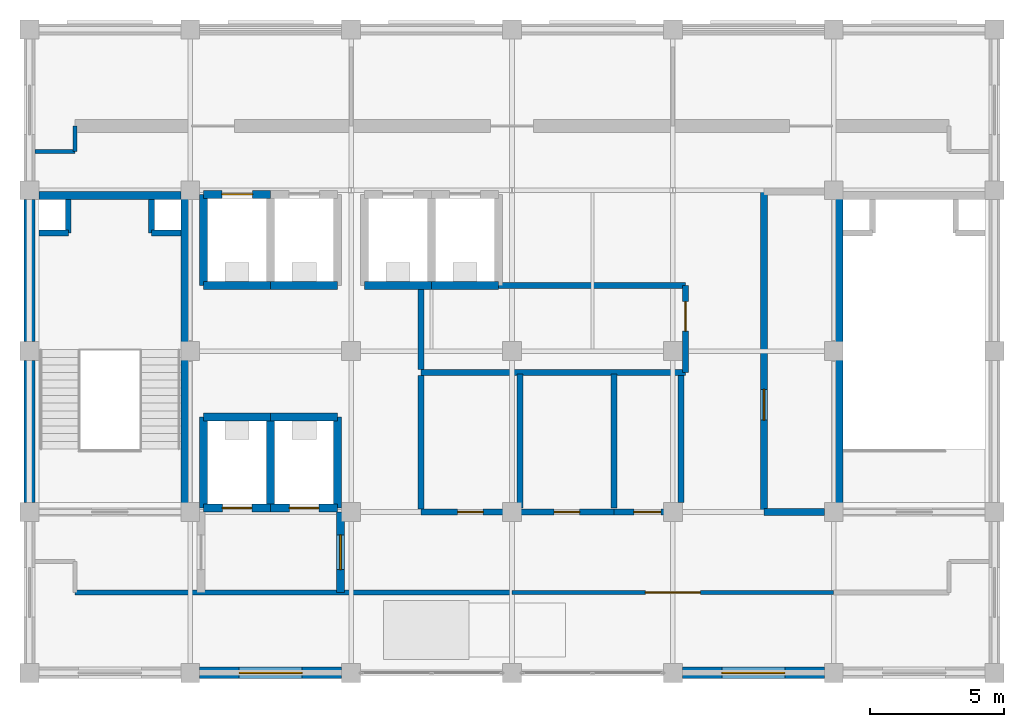
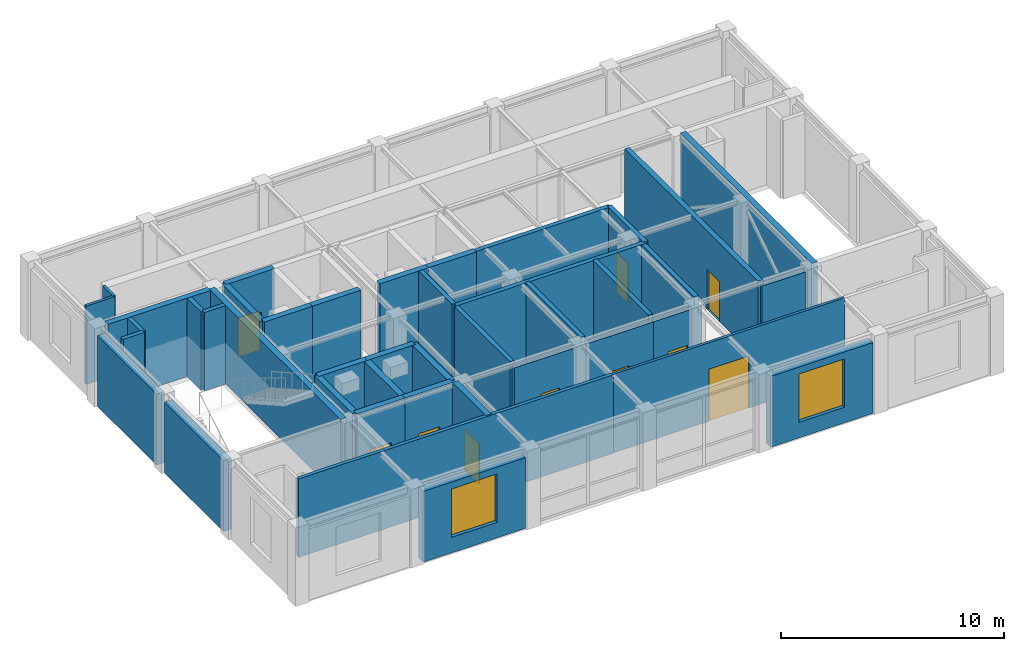
# One storey, part 8 of 11: 42 walls, 10 doors, 2 windows, 12 openings.
"""IFC4 building model written with IfcOpenShell, lengths in metres."""

from ifc_helpers import new_model, si_unit, direction, frame, frame_2d, origin, place, context, subcontext, project, spatial, rectangle, extrude, material, layer, layer_set, type_object, element, fill, save


model = new_model("IFC4")

# Units and contexts
model_context = context("Model", 3, precision=1e-05, world=origin(), true_north=direction((0.0, 1.0)))
body_context = subcontext(model_context, "Body", "Model", "MODEL_VIEW")
ifc_project = project(units=[si_unit("LENGTHUNIT", "METRE"), si_unit("AREAUNIT", "SQUARE_METRE"), si_unit("VOLUMEUNIT", "CUBIC_METRE"), si_unit("PLANEANGLEUNIT", "RADIAN"), si_unit("MASSUNIT", "GRAM", prefix="KILO")], contexts=[model_context])

# Site, building, storey
site_placement = place(None, origin())
site = spatial("IfcSite", under=ifc_project, at=site_placement, CompositionType="ELEMENT")
building_placement = place(site_placement, origin())
building = spatial("IfcBuilding", under=site, at=building_placement, Name="Zlatovratsky Civic Hall", CompositionType="ELEMENT")
storey_placement = place(building_placement, frame((0.0, 0.0, 72.0)))
storey = spatial("IfcBuildingStorey", under=building, at=storey_placement, Name="L18", CompositionType="ELEMENT", Elevation=72.0)

# Wall
ifc_material_1 = material(Name="Acoustic ceramic blockwork", Category="masonry")
ifc_layer_1 = layer(ifc_material_1, 0.179931640625)
ifc_layer_set_1 = layer_set([ifc_layer_1], Name="Acoustic ceramic blockwork")
wall_type_1 = type_object("IfcWallType", Name="Wall_AcousticChamberPartition_180", PredefinedType="PARTITIONING", material=ifc_layer_set_1)
wall_1_placement = place(storey_placement, frame((67.699951171875, 81.0, 0.0), z_axis=(0.0, 0.0, 1.0), x_axis=(1.0, 0.0, 0.0)))
element("IfcWall", 1, at=wall_1_placement, inside=storey, type_object=wall_type_1, Name="WL-6833", PredefinedType="PARTITIONING", context=body_context, shape_type="SweptSolid", body=[
    extrude(rectangle(XDim=16.300048828125, YDim=0.179931640625, at=frame_2d((8.14990234375, 0.0))), origin(), (0.0, 0.0, 1.0), 4.300048828125),
])

# Wall, opening, door
ifc_layer_2 = layer(ifc_material_1, 0.260009765625)
ifc_layer_set_2 = layer_set([ifc_layer_2], Name="Acoustic ceramic blockwork")
wall_type_2 = type_object("IfcWallType", Name="Wall_ArchiveCompartment_260", PredefinedType="PARTITIONING", material=ifc_layer_set_2)
wall_2_placement = place(storey_placement, frame((93.39990234375, 84.0, 0.0), z_axis=(0.0, 0.0, 1.0), x_axis=(0.0, 1.0, 0.0)))
wall_2 = element("IfcWall", 2, at=wall_2_placement, inside=storey, type_object=wall_type_2, Name="WL-6811", PredefinedType="PARTITIONING", context=body_context, shape_type="SweptSolid", body=[
    extrude(rectangle(XDim=11.9599609375, YDim=0.260009765625, at=frame_2d((5.97998046875, 0.0))), origin(), (0.0, 0.0, 1.0), 4.300048828125),
])
opening_1_placement = place(wall_2_placement, frame((3.425048828125, 0.0, 0.0)))
opening_1 = element("IfcOpeningElement", 3, at=opening_1_placement, cuts=wall_2, Name="Opening D-31", PredefinedType="OPENING", context=body_context, shape_type="SweptSolid", body=[
    extrude(rectangle(XDim=1.14990234375, YDim=2.199951171875, at=frame_2d((0.574951171875, 1.10009765625))), frame((0.0, 0.14501953125, 0.0), z_axis=(0.0, -1.0, 0.0), x_axis=(1.0, 0.0, 0.0)), (0.0, 0.0, 1.0), 0.289794921875),
])
ifc_material_2 = material(Name="Insulated painted fire-rated steel leaf", Category="steel")
door_type_1 = type_object("IfcDoorType", Name="Door_RecordsVault_1150x2200", OperationType="NOTDEFINED", PredefinedType="DOOR", material=ifc_material_2)
door_1_placement = place(opening_1_placement, origin())
door_1 = element("IfcDoor", 4, at=door_1_placement, inside=storey, type_object=door_type_1, Name="DR-5566", OperationType="SINGLE_SWING_LEFT", OverallHeight=2.199951171875, OverallWidth=1.14990234375, PredefinedType="DOOR", context=body_context, shape_type="SweptSolid", body=[
    extrude(rectangle(XDim=1.14990234375, YDim=2.199951171875, at=frame_2d((0.574951171875, 1.10009765625))), frame((0.0, 0.02490234375, 0.0), z_axis=(0.0, -1.0, 0.0), x_axis=(1.0, 0.0, 0.0)), (0.0, 0.0, 1.0), 0.050048828125),
])
fill(opening_1, door_1)

# Wall
wall_3_placement = place(storey_placement, frame((93.39990234375, 84.0, 0.0), z_axis=(0.0, 0.0, 1.0), x_axis=(1.0, 0.0, 0.0)))
element("IfcWall", 5, at=wall_3_placement, inside=storey, type_object=wall_type_2, Name="WL-6812", PredefinedType="PARTITIONING", context=body_context, shape_type="SweptSolid", body=[
    extrude(rectangle(XDim=2.25, YDim=0.260009765625, at=frame_2d((1.125, 0.0))), origin(), (0.0, 0.0, 1.0), 4.055908203125),
])

# Wall, opening, door
ifc_material_3 = material(Name="Fire-rated gypsum board framing", Category="gypsum")
ifc_layer_3 = layer(ifc_material_3, 0.139892578125)
ifc_layer_set_3 = layer_set([ifc_layer_3], Name="Fire-rated gypsum board framing")
wall_type_3 = type_object("IfcWallType", Name="Wall_OfficePartition_140", PredefinedType="PARTITIONING", material=ifc_layer_set_3)
wall_4_placement = place(storey_placement, frame((84.0, 81.0, 0.0), z_axis=(0.0, 0.0, 1.0), x_axis=(1.0, 0.0, 0.0)))
wall_4 = element("IfcWall", 6, at=wall_4_placement, inside=storey, type_object=wall_type_3, Name="WL-6823", PredefinedType="PARTITIONING", context=body_context, shape_type="SweptSolid", body=[
    extrude(rectangle(XDim=12.0, YDim=0.139892578125, at=frame_2d((6.0, 0.0))), origin(), (0.0, 0.0, 1.0), 4.300048828125),
])
opening_2_placement = place(wall_4_placement, frame((4.97509765625, 0.0, 0.0)))
opening_2 = element("IfcOpeningElement", 7, at=opening_2_placement, cuts=wall_4, Name="Opening D-28", PredefinedType="OPENING", context=body_context, shape_type="SweptSolid", body=[
    extrude(rectangle(XDim=2.050048828125, YDim=2.85009765625, at=frame_2d((1.02490234375, 1.425048828125))), frame((0.0, 0.0849609375, 0.0), z_axis=(0.0, -1.0, 0.0), x_axis=(1.0, 0.0, 0.0)), (0.0, 0.0, 1.0), 0.169677734375),
])
ifc_material_4 = material(Name="Solid oak joinery in steel frame", Category="steel")
door_type_2 = type_object("IfcDoorType", Name="Door_BelvedereHall_2050x2850", OperationType="DOUBLE_DOOR_SINGLE_SWING", PredefinedType="DOOR", material=ifc_material_4)
door_2_placement = place(opening_2_placement, origin())
door_2 = element("IfcDoor", 8, at=door_2_placement, inside=storey, type_object=door_type_2, Name="DR-5573", OperationType="DOUBLE_DOOR_SINGLE_SWING", OverallHeight=2.85009765625, OverallWidth=2.050048828125, PredefinedType="DOOR", context=body_context, shape_type="SweptSolid", body=[
    extrude(rectangle(XDim=2.050048828125, YDim=2.85009765625, at=frame_2d((1.02490234375, 1.425048828125))), frame((0.0, 0.02490234375, 0.0), z_axis=(0.0, -1.0, 0.0), x_axis=(1.0, 0.0, 0.0)), (0.0, 0.0, 1.0), 0.050048828125),
])
fill(opening_2, door_2)

# Walls
wall_5_placement = place(storey_placement, frame((67.699951171875, 98.39990234375, 0.0), z_axis=(0.0, 0.0, 1.0), x_axis=(0.0, -1.0, 0.0)))
element("IfcWall", 9, at=wall_5_placement, inside=storey, type_object=wall_type_3, Name="WL-6839", PredefinedType="PARTITIONING", context=body_context, shape_type="SweptSolid", body=[
    extrude(rectangle(XDim=0.949951171875, YDim=0.139892578125, at=frame_2d((0.47509765625, 0.0))), origin(), (0.0, 0.0, 1.0), 4.300048828125),
])
wall_6_placement = place(storey_placement, frame((67.699951171875, 97.449951171875, 0.0), z_axis=(0.0, 0.0, 1.0), x_axis=(-1.0, 0.0, 0.0)))
element("IfcWall", 10, at=wall_6_placement, inside=storey, type_object=wall_type_3, Name="WL-6840", PredefinedType="PARTITIONING", context=body_context, shape_type="SweptSolid", body=[
    extrude(rectangle(XDim=1.489990234375, YDim=0.139892578125, at=frame_2d((0.7451171875, 0.0))), origin(), (0.0, 0.0, 1.0), 4.300048828125),
])
ifc_layer_4 = layer(ifc_material_1, 0.219970703125)
ifc_layer_set_4 = layer_set([ifc_layer_4], Name="Acoustic ceramic blockwork")
wall_type_4 = type_object("IfcWallType", Name="Wall_SanitaryWetCore_220", PredefinedType="PARTITIONING", material=ifc_layer_set_4)
wall_7_placement = place(storey_placement, frame((67.449951171875, 94.39990234375, 0.0), z_axis=(0.0, 0.0, 1.0), x_axis=(0.0, 1.0, 0.0)))
element("IfcWall", 11, at=wall_7_placement, inside=storey, type_object=wall_type_4, Name="WL-5147", PredefinedType="PARTITIONING", context=body_context, shape_type="SweptSolid", body=[
    extrude(rectangle(XDim=1.25, YDim=0.219970703125, at=frame_2d((0.625, 0.0))), origin(), (0.0, 0.0, 1.0), 4.300048828125),
])
wall_8_placement = place(storey_placement, frame((66.35009765625, 94.39990234375, 0.0), z_axis=(0.0, 0.0, 1.0), x_axis=(1.0, 0.0, 0.0)))
element("IfcWall", 12, at=wall_8_placement, inside=storey, type_object=wall_type_4, Name="WL-5148", PredefinedType="PARTITIONING", context=body_context, shape_type="SweptSolid", body=[
    extrude(rectangle(XDim=1.099853515625, YDim=0.219970703125, at=frame_2d((0.5498046875, 0.0))), origin(), (0.0, 0.0, 1.0), 4.300048828125),
])
wall_9_placement = place(storey_placement, frame((70.550048828125, 94.39990234375, 0.0), z_axis=(0.0, 0.0, 1.0), x_axis=(0.0, 1.0, 0.0)))
element("IfcWall", 13, at=wall_9_placement, inside=storey, type_object=wall_type_4, Name="WL-5149", PredefinedType="PARTITIONING", context=body_context, shape_type="SweptSolid", body=[
    extrude(rectangle(XDim=1.25, YDim=0.219970703125, at=frame_2d((0.625, 0.0))), origin(), (0.0, 0.0, 1.0), 4.300048828125),
])
wall_10_placement = place(storey_placement, frame((70.550048828125, 94.39990234375, 0.0), z_axis=(0.0, 0.0, 1.0), x_axis=(1.0, 0.0, 0.0)))
element("IfcWall", 14, at=wall_10_placement, inside=storey, type_object=wall_type_4, Name="WL-5150", PredefinedType="PARTITIONING", context=body_context, shape_type="SweptSolid", body=[
    extrude(rectangle(XDim=1.099853515625, YDim=0.219970703125, at=frame_2d((0.5498046875, 0.0))), origin(), (0.0, 0.0, 1.0), 4.300048828125),
])

# Wall, opening, door
wall_11_placement = place(storey_placement, frame((80.60009765625, 84.0, 0.0), z_axis=(0.0, 0.0, 1.0), x_axis=(1.0, 0.0, 0.0)))
wall_11 = element("IfcWall", 15, at=wall_11_placement, inside=storey, type_object=wall_type_4, Name="WL-6816", PredefinedType="PARTITIONING", context=body_context, shape_type="SweptSolid", body=[
    extrude(rectangle(XDim=3.699951171875, YDim=0.219970703125, at=frame_2d((1.85009765625, 0.0))), origin(), (0.0, 0.0, 1.0), 4.055908203125),
])
opening_3_placement = place(wall_11_placement, frame((1.375, 0.0, 0.0)))
opening_3 = element("IfcOpeningElement", 16, at=opening_3_placement, cuts=wall_11, Name="Opening D-21", PredefinedType="OPENING", context=body_context, shape_type="SweptSolid", body=[
    extrude(rectangle(XDim=0.949951171875, YDim=2.14990234375, at=frame_2d((0.47509765625, 1.074951171875))), frame((0.0, 0.125, 0.0), z_axis=(0.0, -1.0, 0.0), x_axis=(1.0, 0.0, 0.0)), (0.0, 0.0, 1.0), 0.249755859375),
])
door_type_3 = type_object("IfcDoorType", Name="Door_MensWC_950x2150", OperationType="NOTDEFINED", PredefinedType="DOOR", material=ifc_material_4)
door_3_placement = place(opening_3_placement, origin())
door_3 = element("IfcDoor", 17, at=door_3_placement, inside=storey, type_object=door_type_3, Name="DR-5569", OperationType="SINGLE_SWING_LEFT", OverallHeight=2.14990234375, OverallWidth=0.949951171875, PredefinedType="DOOR", context=body_context, shape_type="SweptSolid", body=[
    extrude(rectangle(XDim=0.949951171875, YDim=2.14990234375, at=frame_2d((0.47509765625, 1.074951171875))), frame((0.0, 0.02490234375, 0.0), z_axis=(0.0, -1.0, 0.0), x_axis=(1.0, 0.0, 0.0)), (0.0, 0.0, 1.0), 0.050048828125),
])
fill(opening_3, door_3)

wall_12_placement = place(storey_placement, frame((84.300048828125, 84.0, 0.0), z_axis=(0.0, 0.0, 1.0), x_axis=(1.0, 0.0, 0.0)))
wall_12 = element("IfcWall", 18, at=wall_12_placement, inside=storey, type_object=wall_type_4, Name="WL-6817", PredefinedType="PARTITIONING", context=body_context, shape_type="SweptSolid", body=[
    extrude(rectangle(XDim=3.5, YDim=0.219970703125, at=frame_2d((1.75, 0.0))), origin(), (0.0, 0.0, 1.0), 4.055908203125),
])
opening_4_placement = place(wall_12_placement, frame((1.27490234375, 0.0, 0.0)))
opening_4 = element("IfcOpeningElement", 19, at=opening_4_placement, cuts=wall_12, Name="Opening D-22", PredefinedType="OPENING", context=body_context, shape_type="SweptSolid", body=[
    extrude(rectangle(XDim=0.949951171875, YDim=2.10009765625, at=frame_2d((0.47509765625, 1.050048828125))), frame((0.0, 0.125, 0.0), z_axis=(0.0, -1.0, 0.0), x_axis=(1.0, 0.0, 0.0)), (0.0, 0.0, 1.0), 0.249755859375),
])
door_type_4 = type_object("IfcDoorType", Name="Door_WomensWC_950x2100", OperationType="NOTDEFINED", PredefinedType="DOOR", material=ifc_material_4)
door_4_placement = place(opening_4_placement, origin())
door_4 = element("IfcDoor", 20, at=door_4_placement, inside=storey, type_object=door_type_4, Name="DR-5570", OperationType="SINGLE_SWING_RIGHT", OverallHeight=2.10009765625, OverallWidth=0.949951171875, PredefinedType="DOOR", context=body_context, shape_type="SweptSolid", body=[
    extrude(rectangle(XDim=0.949951171875, YDim=2.10009765625, at=frame_2d((0.47509765625, 1.050048828125))), frame((0.0, 0.02490234375, 0.0), z_axis=(0.0, -1.0, 0.0), x_axis=(1.0, 0.0, 0.0)), (0.0, 0.0, 1.0), 0.050048828125),
])
fill(opening_4, door_4)

wall_13_placement = place(storey_placement, frame((87.800048828125, 84.0, 0.0), z_axis=(0.0, 0.0, 1.0), x_axis=(1.0, 0.0, 0.0)))
wall_13 = element("IfcWall", 21, at=wall_13_placement, inside=storey, type_object=wall_type_4, Name="WL-6818", PredefinedType="PARTITIONING", context=body_context, shape_type="SweptSolid", body=[
    extrude(rectangle(XDim=2.5, YDim=0.219970703125, at=frame_2d((1.25, 0.0))), origin(), (0.0, 0.0, 1.0), 4.055908203125),
])
opening_5_placement = place(wall_13_placement, frame((0.75, 0.0, 0.0)))
opening_5 = element("IfcOpeningElement", 22, at=opening_5_placement, cuts=wall_13, Name="Opening D-20", PredefinedType="OPENING", context=body_context, shape_type="SweptSolid", body=[
    extrude(rectangle(XDim=1.0, YDim=2.14990234375, at=frame_2d((0.5, 1.074951171875))), frame((0.0, 0.125, 0.0), z_axis=(0.0, -1.0, 0.0), x_axis=(1.0, 0.0, 0.0)), (0.0, 0.0, 1.0), 0.249755859375),
])
door_type_5 = type_object("IfcDoorType", Name="Door_AccessibleWC_1000x2150", OperationType="NOTDEFINED", PredefinedType="DOOR", material=ifc_material_4)
door_5_placement = place(opening_5_placement, origin())
door_5 = element("IfcDoor", 23, at=door_5_placement, inside=storey, type_object=door_type_5, Name="DR-5571", OperationType="SINGLE_SWING_LEFT", OverallHeight=2.14990234375, OverallWidth=1.0, PredefinedType="DOOR", context=body_context, shape_type="SweptSolid", body=[
    extrude(rectangle(XDim=1.0, YDim=2.14990234375, at=frame_2d((0.5, 1.074951171875))), frame((0.0, 0.02490234375, 0.0), z_axis=(0.0, -1.0, 0.0), x_axis=(1.0, 0.0, 0.0)), (0.0, 0.0, 1.0), 0.050048828125),
])
fill(opening_5, door_5)

# Walls
for number, where, z_axis, x_axis, name in (
    (24, (84.300048828125, 84.14990234375, 0.0), (0.0, 0.0, 1.0), (0.0, 1.0, 0.0), "WL-6819"),
    (25, (87.800048828125, 84.14990234375, 0.0), (0.0, 0.0, 1.0), (0.0, 1.0, 0.0), "WL-6820"),
):
    element("IfcWall", number, at=place(storey_placement, frame(where, z_axis=z_axis, x_axis=x_axis)), inside=storey, type_object=wall_type_4, Name=name, PredefinedType="PARTITIONING", context=body_context, shape_type="SweptSolid", body=[
        extrude(rectangle(XDim=5.0, YDim=0.219970703125, at=frame_2d((2.5, 0.0))), origin(), (0.0, 0.0, 1.0), 4.300048828125),
    ])
wall_14_placement = place(storey_placement, frame((80.60009765625, 89.199951171875, 0.0), z_axis=(0.0, 0.0, 1.0), x_axis=(1.0, 0.0, 0.0)))
element("IfcWall", 26, at=wall_14_placement, inside=storey, type_object=wall_type_4, Name="WL-6821", PredefinedType="PARTITIONING", context=body_context, shape_type="SweptSolid", body=[
    extrude(rectangle(XDim=9.869873046875, YDim=0.219970703125, at=frame_2d((4.93505859375, 0.0))), origin(), (0.0, 0.0, 1.0), 4.300048828125),
])

# Wall, opening, door
wall_15_placement = place(storey_placement, frame((90.469970703125, 89.199951171875, 0.0), z_axis=(0.0, 0.0, 1.0), x_axis=(0.0, 1.0, 0.0)))
wall_15 = element("IfcWall", 27, at=wall_15_placement, inside=storey, type_object=wall_type_4, Name="WL-6822", PredefinedType="PARTITIONING", context=body_context, shape_type="SweptSolid", body=[
    extrude(rectangle(XDim=3.25, YDim=0.219970703125, at=frame_2d((1.625, 0.0))), origin(), (0.0, 0.0, 1.0), 4.300048828125),
])
opening_6_placement = place(wall_15_placement, frame((1.550048828125, 0.0, 0.0)))
opening_6 = element("IfcOpeningElement", 28, at=opening_6_placement, cuts=wall_15, Name="Opening D-30", PredefinedType="OPENING", context=body_context, shape_type="SweptSolid", body=[
    extrude(rectangle(XDim=1.10009765625, YDim=2.14990234375, at=frame_2d((0.550048828125, 1.074951171875))), frame((0.0, 0.125, 0.0), z_axis=(0.0, -1.0, 0.0), x_axis=(1.0, 0.0, 0.0)), (0.0, 0.0, 1.0), 0.249755859375),
])
door_type_6 = type_object("IfcDoorType", Name="Door_ElectricalRoom_1100x2150", OperationType="NOTDEFINED", PredefinedType="DOOR", material=ifc_material_2)
door_6_placement = place(opening_6_placement, origin())
door_6 = element("IfcDoor", 29, at=door_6_placement, inside=storey, type_object=door_type_6, Name="DR-5572", OperationType="SINGLE_SWING_RIGHT", OverallHeight=2.14990234375, OverallWidth=1.10009765625, PredefinedType="DOOR", context=body_context, shape_type="SweptSolid", body=[
    extrude(rectangle(XDim=1.10009765625, YDim=2.14990234375, at=frame_2d((0.550048828125, 1.074951171875))), frame((0.0, 0.02490234375, 0.0), z_axis=(0.0, -1.0, 0.0), x_axis=(1.0, 0.0, 0.0)), (0.0, 0.0, 1.0), 0.050048828125),
])
fill(opening_6, door_6)

# Walls
wall_16_placement = place(storey_placement, frame((80.60009765625, 84.110107421875, 0.0), z_axis=(0.0, 0.0, 1.0), x_axis=(0.0, 1.0, 0.0)))
element("IfcWall", 30, at=wall_16_placement, inside=storey, type_object=wall_type_4, Name="WL-6829", PredefinedType="PARTITIONING", context=body_context, shape_type="SweptSolid", body=[
    extrude(rectangle(XDim=4.97998046875, YDim=0.219970703125, at=frame_2d((2.489990234375, 0.0))), origin(), (0.0, 0.0, 1.0), 4.300048828125),
])
wall_17_placement = place(storey_placement, frame((90.300048828125, 84.360107421875, 0.0), z_axis=(0.0, 0.0, 1.0), x_axis=(0.0, 1.0, 0.0)))
element("IfcWall", 31, at=wall_17_placement, inside=storey, type_object=wall_type_4, Name="WL-6830", PredefinedType="PARTITIONING", context=body_context, shape_type="SweptSolid", body=[
    extrude(rectangle(XDim=4.72998046875, YDim=0.219970703125, at=frame_2d((2.364990234375, 0.0))), origin(), (0.0, 0.0, 1.0), 4.300048828125),
])
wall_18_placement = place(storey_placement, frame((80.60009765625, 89.31005859375, 0.0), z_axis=(0.0, 0.0, 1.0), x_axis=(0.0, 1.0, 0.0)))
element("IfcWall", 32, at=wall_18_placement, inside=storey, type_object=wall_type_4, Name="WL-6831", PredefinedType="PARTITIONING", context=body_context, shape_type="SweptSolid", body=[
    extrude(rectangle(XDim=2.989990234375, YDim=0.219970703125, at=frame_2d((1.4951171875, 0.0))), origin(), (0.0, 0.0, 1.0), 4.300048828125),
])
wall_19_placement = place(storey_placement, frame((83.5, 92.449951171875, 0.0), z_axis=(0.0, 0.0, 1.0), x_axis=(1.0, 0.0, 0.0)))
element("IfcWall", 33, at=wall_19_placement, inside=storey, type_object=wall_type_4, Name="WL-6832", PredefinedType="PARTITIONING", context=body_context, shape_type="SweptSolid", body=[
    extrude(rectangle(XDim=6.969970703125, YDim=0.219970703125, at=frame_2d((3.48486328125, 0.0))), origin(), (0.0, 0.0, 1.0), 4.300048828125),
])
ifc_material_5 = material(Name="Concrete C35/45 (B40)", Category="concrete")
ifc_layer_5 = layer(ifc_material_5, 0.300048828125)
ifc_layer_set_5 = layer_set([ifc_layer_5], Name="Concrete C35/45 (B40)")
wall_type_5 = type_object("IfcWallType", Name="Wall_StairAndLiftShaft_300", PredefinedType="SHEAR", material=ifc_layer_set_5)
wall_20_placement = place(storey_placement, frame((66.35009765625, 95.800048828125, 0.0), z_axis=(0.0, 0.0, 1.0), x_axis=(1.0, 0.0, 0.0)))
element("IfcWall", 34, at=wall_20_placement, inside=storey, type_object=wall_type_5, Name="WL-5145", PredefinedType="SHEAR", context=body_context, shape_type="SweptSolid", body=[
    extrude(rectangle(XDim=5.2998046875, YDim=0.300048828125, at=frame_2d((2.64990234375, 0.0))), origin(), (0.0, 0.0, 1.0), 4.300048828125),
])
for number, where, z_axis, x_axis, name in (
    (35, (71.800048828125, 84.0, 0.0), (0.0, 0.0, 1.0), (0.0, 1.0, 0.0), "WL-5146"),
    (36, (96.199951171875, 84.0, 0.0), (0.0, 0.0, 1.0), (0.0, 1.0, 0.0), "WL-5304"),
):
    element("IfcWall", number, at=place(storey_placement, frame(where, z_axis=z_axis, x_axis=x_axis)), inside=storey, type_object=wall_type_5, Name=name, PredefinedType="SHEAR", context=body_context, shape_type="SweptSolid", body=[
        extrude(rectangle(XDim=11.800048828125, YDim=0.300048828125, at=frame_2d((5.89990234375, 0.0))), origin(), (0.0, 0.0, 1.0), 4.300048828125),
    ])

# Wall, opening, door
wall_21_placement = place(storey_placement, frame((72.5, 84.14990234375, 0.0), z_axis=(0.0, 0.0, 1.0), x_axis=(1.0, 0.0, 0.0)))
wall_21 = element("IfcWall", 37, at=wall_21_placement, inside=storey, type_object=wall_type_5, Name="WL-5547", PredefinedType="SHEAR", context=body_context, shape_type="SweptSolid", body=[
    extrude(rectangle(XDim=2.5, YDim=0.300048828125, at=frame_2d((1.25, 0.0))), origin(), (0.0, 0.0, 1.0), 4.300048828125),
])
opening_7_placement = place(wall_21_placement, frame((0.699951171875, 0.0, 0.0)))
opening_7 = element("IfcOpeningElement", 38, at=opening_7_placement, cuts=wall_21, Name="Opening LD-01", PredefinedType="OPENING", context=body_context, shape_type="SweptSolid", body=[
    extrude(rectangle(XDim=1.10009765625, YDim=2.10009765625, at=frame_2d((0.550048828125, 1.050048828125))), frame((0.0, 0.1650390625, 0.0), z_axis=(0.0, -1.0, 0.0), x_axis=(1.0, 0.0, 0.0)), (0.0, 0.0, 1.0), 0.329833984375),
])
ifc_material_6 = material(Name="Brushed stainless steel AISI 304", Category="steel")
door_type_7 = type_object("IfcDoorType", Name="Door_LiftLandingFire_1100x2100", OperationType="DOUBLE_DOOR_SLIDING", PredefinedType="DOOR", material=ifc_material_6)
door_7_placement = place(opening_7_placement, origin())
door_7 = element("IfcDoor", 39, at=door_7_placement, inside=storey, type_object=door_type_7, Name="Lift landing door LD-5077", OperationType="DOUBLE_DOOR_SLIDING", OverallHeight=2.10009765625, OverallWidth=1.10009765625, PredefinedType="DOOR", context=body_context, shape_type="SweptSolid", body=[
    extrude(rectangle(XDim=1.10009765625, YDim=2.10009765625, at=frame_2d((0.550048828125, 1.050048828125))), frame((0.0, 0.02490234375, 0.0), z_axis=(0.0, -1.0, 0.0), x_axis=(1.0, 0.0, 0.0)), (0.0, 0.0, 1.0), 0.050048828125),
])
fill(opening_7, door_7)

# Walls
wall_22_placement = place(storey_placement, frame((72.5, 87.550048828125, 0.0), z_axis=(0.0, 0.0, 1.0), x_axis=(1.0, 0.0, 0.0)))
element("IfcWall", 40, at=wall_22_placement, inside=storey, type_object=wall_type_5, Name="WL-5548", PredefinedType="SHEAR", context=body_context, shape_type="SweptSolid", body=[
    extrude(rectangle(XDim=2.5, YDim=0.300048828125, at=frame_2d((1.25, 0.0))), origin(), (0.0, 0.0, 1.0), 4.300048828125),
])
wall_23_placement = place(storey_placement, frame((72.5, 84.14990234375, 0.0), z_axis=(0.0, 0.0, 1.0), x_axis=(0.0, 1.0, 0.0)))
element("IfcWall", 41, at=wall_23_placement, inside=storey, type_object=wall_type_5, Name="WL-5549", PredefinedType="SHEAR", context=body_context, shape_type="SweptSolid", body=[
    extrude(rectangle(XDim=3.400146484375, YDim=0.300048828125, at=frame_2d((1.7001953125, 0.0))), origin(), (0.0, 0.0, 1.0), 4.300048828125),
])

# Wall, opening, door
wall_24_placement = place(storey_placement, frame((75.0, 84.14990234375, 0.0), z_axis=(0.0, 0.0, 1.0), x_axis=(1.0, 0.0, 0.0)))
wall_24 = element("IfcWall", 42, at=wall_24_placement, inside=storey, type_object=wall_type_5, Name="WL-5622", PredefinedType="SHEAR", context=body_context, shape_type="SweptSolid", body=[
    extrude(rectangle(XDim=2.5, YDim=0.300048828125, at=frame_2d((1.25, 0.0))), origin(), (0.0, 0.0, 1.0), 4.300048828125),
])
opening_8_placement = place(wall_24_placement, frame((0.699951171875, 0.0, 0.0)))
opening_8 = element("IfcOpeningElement", 43, at=opening_8_placement, cuts=wall_24, Name="Opening LD-01", PredefinedType="OPENING", context=body_context, shape_type="SweptSolid", body=[
    extrude(rectangle(XDim=1.10009765625, YDim=2.10009765625, at=frame_2d((0.550048828125, 1.050048828125))), frame((0.0, 0.1650390625, 0.0), z_axis=(0.0, -1.0, 0.0), x_axis=(1.0, 0.0, 0.0)), (0.0, 0.0, 1.0), 0.329833984375),
])
door_8_placement = place(opening_8_placement, origin())
door_8 = element("IfcDoor", 44, at=door_8_placement, inside=storey, type_object=door_type_7, Name="Lift landing door LD-5096", OperationType="DOUBLE_DOOR_SLIDING", OverallHeight=2.10009765625, OverallWidth=1.10009765625, PredefinedType="DOOR", context=body_context, shape_type="SweptSolid", body=[
    extrude(rectangle(XDim=1.10009765625, YDim=2.10009765625, at=frame_2d((0.550048828125, 1.050048828125))), frame((0.0, 0.02490234375, 0.0), z_axis=(0.0, -1.0, 0.0), x_axis=(1.0, 0.0, 0.0)), (0.0, 0.0, 1.0), 0.050048828125),
])
fill(opening_8, door_8)

# Walls
wall_25_placement = place(storey_placement, frame((75.0, 87.550048828125, 0.0), z_axis=(0.0, 0.0, 1.0), x_axis=(1.0, 0.0, 0.0)))
element("IfcWall", 45, at=wall_25_placement, inside=storey, type_object=wall_type_5, Name="WL-5623", PredefinedType="SHEAR", context=body_context, shape_type="SweptSolid", body=[
    extrude(rectangle(XDim=2.5, YDim=0.300048828125, at=frame_2d((1.25, 0.0))), origin(), (0.0, 0.0, 1.0), 4.300048828125),
])
for number, where, z_axis, x_axis, name in (
    (46, (75.0, 84.14990234375, 0.0), (0.0, 0.0, 1.0), (0.0, 1.0, 0.0), "WL-5624"),
    (47, (77.5, 84.14990234375, 0.0), (0.0, 0.0, 1.0), (0.0, 1.0, 0.0), "WL-5625"),
):
    element("IfcWall", number, at=place(storey_placement, frame(where, z_axis=z_axis, x_axis=x_axis)), inside=storey, type_object=wall_type_5, Name=name, PredefinedType="SHEAR", context=body_context, shape_type="SweptSolid", body=[
        extrude(rectangle(XDim=3.400146484375, YDim=0.300048828125, at=frame_2d((1.7001953125, 0.0))), origin(), (0.0, 0.0, 1.0), 4.300048828125),
    ])

# Wall, opening, door
wall_26_placement = place(storey_placement, frame((72.5, 95.85009765625, 0.0), z_axis=(0.0, 0.0, 1.0), x_axis=(1.0, 0.0, 0.0)))
wall_26 = element("IfcWall", 48, at=wall_26_placement, inside=storey, type_object=wall_type_5, Name="WL-5680", PredefinedType="SHEAR", context=body_context, shape_type="SweptSolid", body=[
    extrude(rectangle(XDim=2.5, YDim=0.300048828125, at=frame_2d((1.25, 0.0))), origin(), (0.0, 0.0, 1.0), 4.300048828125),
])
opening_9_placement = place(wall_26_placement, frame((0.675048828125, 0.0, 0.0)))
opening_9 = element("IfcOpeningElement", 49, at=opening_9_placement, cuts=wall_26, Name="Opening LD-02", PredefinedType="OPENING", context=body_context, shape_type="SweptSolid", body=[
    extrude(rectangle(XDim=1.14990234375, YDim=2.14990234375, at=frame_2d((0.574951171875, 1.074951171875))), frame((0.0, 0.1650390625, 0.0), z_axis=(0.0, -1.0, 0.0), x_axis=(1.0, 0.0, 0.0)), (0.0, 0.0, 1.0), 0.329833984375),
])
door_type_8 = type_object("IfcDoorType", Name="Door_LiftLandingHighRise_1150x2150", OperationType="DOUBLE_DOOR_SLIDING", PredefinedType="DOOR", material=ifc_material_6)
door_9_placement = place(opening_9_placement, origin())
door_9 = element("IfcDoor", 50, at=door_9_placement, inside=storey, type_object=door_type_8, Name="Lift landing door LD-5115", OperationType="DOUBLE_DOOR_SLIDING", OverallHeight=2.14990234375, OverallWidth=1.14990234375, PredefinedType="DOOR", context=body_context, shape_type="SweptSolid", body=[
    extrude(rectangle(XDim=1.14990234375, YDim=2.14990234375, at=frame_2d((0.574951171875, 1.074951171875))), frame((0.0, 0.02490234375, 0.0), z_axis=(0.0, -1.0, 0.0), x_axis=(1.0, 0.0, 0.0)), (0.0, 0.0, 1.0), 0.050048828125),
])
fill(opening_9, door_9)

# Walls
wall_27_placement = place(storey_placement, frame((72.5, 92.449951171875, 0.0), z_axis=(0.0, 0.0, 1.0), x_axis=(1.0, 0.0, 0.0)))
element("IfcWall", 51, at=wall_27_placement, inside=storey, type_object=wall_type_5, Name="WL-5681", PredefinedType="SHEAR", context=body_context, shape_type="SweptSolid", body=[
    extrude(rectangle(XDim=2.5, YDim=0.300048828125, at=frame_2d((1.25, 0.0))), origin(), (0.0, 0.0, 1.0), 4.300048828125),
])
wall_28_placement = place(storey_placement, frame((72.5, 92.449951171875, 0.0), z_axis=(0.0, 0.0, 1.0), x_axis=(0.0, 1.0, 0.0)))
element("IfcWall", 52, at=wall_28_placement, inside=storey, type_object=wall_type_5, Name="WL-5682", PredefinedType="SHEAR", context=body_context, shape_type="SweptSolid", body=[
    extrude(rectangle(XDim=3.400146484375, YDim=0.300048828125, at=frame_2d((1.7001953125, 0.0))), origin(), (0.0, 0.0, 1.0), 4.300048828125),
])
for number, where, z_axis, x_axis, name in (
    (53, (75.0, 92.449951171875, 0.0), (0.0, 0.0, 1.0), (1.0, 0.0, 0.0), "WL-5756"),
    (54, (78.5, 92.449951171875, 0.0), (0.0, 0.0, 1.0), (1.0, 0.0, 0.0), "WL-5814"),
    (55, (81.0, 92.449951171875, 0.0), (0.0, 0.0, 1.0), (1.0, 0.0, 0.0), "WL-5889"),
):
    element("IfcWall", number, at=place(storey_placement, frame(where, z_axis=z_axis, x_axis=x_axis)), inside=storey, type_object=wall_type_5, Name=name, PredefinedType="SHEAR", context=body_context, shape_type="SweptSolid", body=[
        extrude(rectangle(XDim=2.5, YDim=0.300048828125, at=frame_2d((1.25, 0.0))), origin(), (0.0, 0.0, 1.0), 4.300048828125),
    ])

# Wall, opening, door
wall_29_placement = place(storey_placement, frame((77.60009765625, 81.0, 0.0), z_axis=(0.0, 0.0, 1.0), x_axis=(0.0, 1.0, 0.0)))
wall_29 = element("IfcWall", 56, at=wall_29_placement, inside=storey, type_object=wall_type_5, Name="WL-6815", PredefinedType="SHEAR", context=body_context, shape_type="SweptSolid", body=[
    extrude(rectangle(XDim=3.0, YDim=0.300048828125, at=frame_2d((1.5, 0.0))), origin(), (0.0, 0.0, 1.0), 4.300048828125),
])
opening_10_placement = place(wall_29_placement, frame((0.85009765625, 0.0, 0.0)))
opening_10 = element("IfcOpeningElement", 57, at=opening_10_placement, cuts=wall_29, Name="Opening D-18", PredefinedType="OPENING", context=body_context, shape_type="SweptSolid", body=[
    extrude(rectangle(XDim=1.300048828125, YDim=2.199951171875, at=frame_2d((0.64990234375, 1.10009765625))), frame((0.0, 0.1650390625, 0.0), z_axis=(0.0, -1.0, 0.0), x_axis=(1.0, 0.0, 0.0)), (0.0, 0.0, 1.0), 0.329833984375),
])
door_type_9 = type_object("IfcDoorType", Name="Door_FireLobbyAirlock_1300x2200", OperationType="NOTDEFINED", PredefinedType="DOOR", material=ifc_material_2)
door_10_placement = place(opening_10_placement, origin())
door_10 = element("IfcDoor", 58, at=door_10_placement, inside=storey, type_object=door_type_9, Name="DR-5568", OperationType="SINGLE_SWING_RIGHT", OverallHeight=2.199951171875, OverallWidth=1.300048828125, PredefinedType="DOOR", context=body_context, shape_type="SweptSolid", body=[
    extrude(rectangle(XDim=1.300048828125, YDim=2.199951171875, at=frame_2d((0.64990234375, 1.10009765625))), frame((0.0, 0.02490234375, 0.0), z_axis=(0.0, -1.0, 0.0), x_axis=(1.0, 0.0, 0.0)), (0.0, 0.0, 1.0), 0.050048828125),
])
fill(opening_10, door_10)

# Wall, opening, window
ifc_layer_6 = layer(ifc_material_1, 0.280029296875, Name="Backing")
ifc_material_7 = material(Name="Podolsk limestone ashlar", Category="masonry")
ifc_layer_7 = layer(ifc_material_7, 0.139892578125, Name="Finish")
ifc_layer_set_6 = layer_set([ifc_layer_6, ifc_layer_7], Name="Acoustic ceramic blockwork")
wall_type_6 = type_object("IfcWallType", Name="Wall_TowerLimestoneAshlar_420", PredefinedType="SOLIDWALL", material=ifc_layer_set_6)
wall_30_placement = place(storey_placement, frame((72.35009765625, 78.0, 0.0), z_axis=(0.0, 0.0, 1.0), x_axis=(1.0, 0.0, 0.0)))
wall_30 = element("IfcWall", 59, at=wall_30_placement, inside=storey, type_object=wall_type_6, Name="WL-0686", PredefinedType="SOLIDWALL", context=body_context, shape_type="SweptSolid", body=[
    extrude(rectangle(XDim=5.2998046875, YDim=0.419921875, at=frame_2d((2.64990234375, 0.0))), origin(), (0.0, 0.0, 1.0), 3.8798828125),
])
opening_11_placement = place(wall_30_placement, frame((1.47509765625, 0.0, 0.85009765625)))
opening_11 = element("IfcOpeningElement", 60, at=opening_11_placement, cuts=wall_30, Name="Opening WN-25", PredefinedType="OPENING", context=body_context, shape_type="SweptSolid", body=[
    extrude(rectangle(XDim=2.35009765625, YDim=2.64990234375, at=frame_2d((1.175048828125, 1.324951171875))), frame((0.0, 0.224853515625, 0.0), z_axis=(0.0, -1.0, 0.0), x_axis=(1.0, 0.0, 0.0)), (0.0, 0.0, 1.0), 0.44970703125),
])
ifc_material_8 = material(Name="Low-E laminated double glazing", Category="glass")
window_type = type_object("IfcWindowType", Name="Window_BelvedereL18Arch_2350x2650", PartitioningType="SINGLE_PANEL", PredefinedType="WINDOW", material=ifc_material_8)
window_1_placement = place(opening_11_placement, origin())
window_1 = element("IfcWindow", 61, at=window_1_placement, inside=storey, type_object=window_type, Name="WN-0542", OverallHeight=2.64990234375, OverallWidth=2.35009765625, PartitioningType="SINGLE_PANEL", PredefinedType="WINDOW", context=body_context, shape_type="SweptSolid", body=[
    extrude(rectangle(XDim=2.35009765625, YDim=2.64990234375, at=frame_2d((1.175048828125, 1.324951171875))), frame((0.0, 0.030029296875, 0.0), z_axis=(0.0, -1.0, 0.0), x_axis=(1.0, 0.0, 0.0)), (0.0, 0.0, 1.0), 0.06005859375),
])
fill(opening_11, window_1)

wall_31_placement = place(storey_placement, frame((90.35009765625, 78.0, 0.0), z_axis=(0.0, 0.0, 1.0), x_axis=(1.0, 0.0, 0.0)))
wall_31 = element("IfcWall", 62, at=wall_31_placement, inside=storey, type_object=wall_type_6, Name="WL-0687", PredefinedType="SOLIDWALL", context=body_context, shape_type="SweptSolid", body=[
    extrude(rectangle(XDim=5.2998046875, YDim=0.419921875, at=frame_2d((2.64990234375, 0.0))), origin(), (0.0, 0.0, 1.0), 3.8798828125),
])
opening_12_placement = place(wall_31_placement, frame((1.47509765625, 0.0, 0.85009765625)))
opening_12 = element("IfcOpeningElement", 63, at=opening_12_placement, cuts=wall_31, Name="Opening WN-25", PredefinedType="OPENING", context=body_context, shape_type="SweptSolid", body=[
    extrude(rectangle(XDim=2.35009765625, YDim=2.64990234375, at=frame_2d((1.175048828125, 1.324951171875))), frame((0.0, 0.224853515625, 0.0), z_axis=(0.0, -1.0, 0.0), x_axis=(1.0, 0.0, 0.0)), (0.0, 0.0, 1.0), 0.44970703125),
])
window_2_placement = place(opening_12_placement, origin())
window_2 = element("IfcWindow", 64, at=window_2_placement, inside=storey, type_object=window_type, Name="WN-0543", OverallHeight=2.64990234375, OverallWidth=2.35009765625, PartitioningType="SINGLE_PANEL", PredefinedType="WINDOW", context=body_context, shape_type="SweptSolid", body=[
    extrude(rectangle(XDim=2.35009765625, YDim=2.64990234375, at=frame_2d((1.175048828125, 1.324951171875))), frame((0.0, 0.030029296875, 0.0), z_axis=(0.0, -1.0, 0.0), x_axis=(1.0, 0.0, 0.0)), (0.0, 0.0, 1.0), 0.06005859375),
])
fill(opening_12, window_2)

# Walls
for number, where, z_axis, x_axis, name in (
    (65, (66.0, 84.35009765625, 0.0), (0.0, 0.0, 1.0), (0.0, 1.0, 0.0), "WL-0696"),
    (66, (66.0, 90.35009765625, 0.0), (0.0, 0.0, 1.0), (0.0, 1.0, 0.0), "WL-0697"),
):
    element("IfcWall", number, at=place(storey_placement, frame(where, z_axis=z_axis, x_axis=x_axis)), inside=storey, type_object=wall_type_6, Name=name, PredefinedType="SOLIDWALL", context=body_context, shape_type="SweptSolid", body=[
        extrude(rectangle(XDim=5.2998046875, YDim=0.419921875, at=frame_2d((2.64990234375, 0.0))), origin(), (0.0, 0.0, 1.0), 3.8798828125),
    ])

save(model, "model.ifc")
